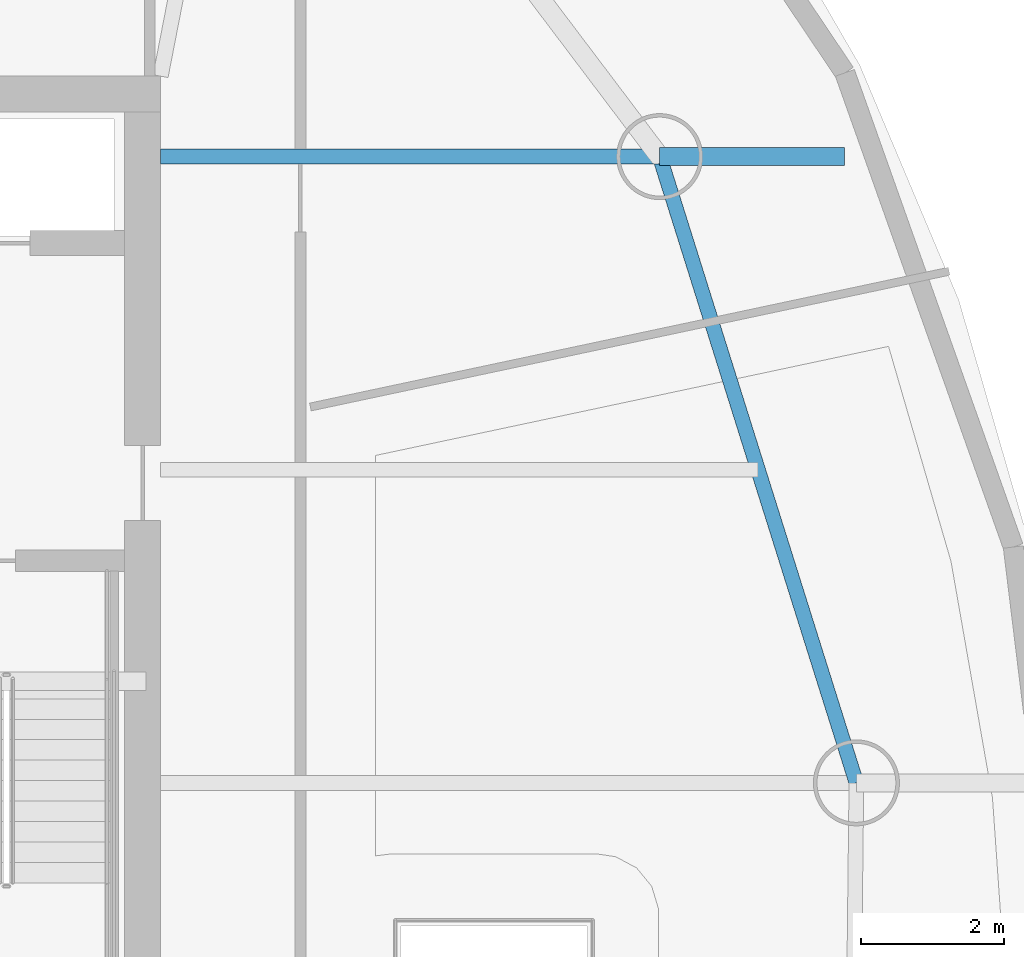
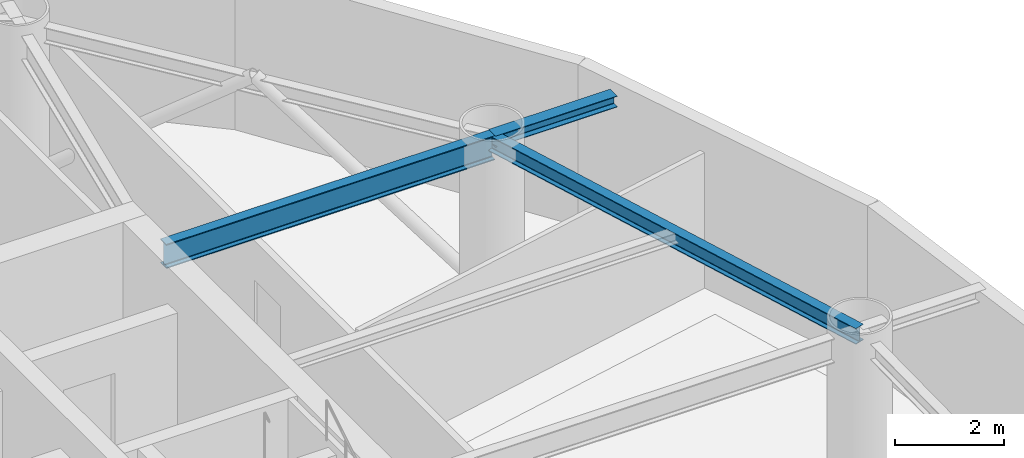
# One storey, part 10 of 22: 3 beams.
"""IFC4 building model written with IfcOpenShell, lengths in metres."""

from ifc_helpers import new_model, si_unit, direction, frame, origin, origin_2d, place, context, subcontext, project, spatial, i_section, extrude, material, material_profile, profile_set, type_object, element, save


model = new_model("IFC4")

# Units and contexts
model_context = context("Model", 3, precision=1e-05, world=origin(), true_north=direction((0.0, 1.0)))
body_context = subcontext(model_context, "Body", "Model", "MODEL_VIEW")
ifc_project = project(units=[si_unit("LENGTHUNIT", "METRE"), si_unit("AREAUNIT", "SQUARE_METRE"), si_unit("VOLUMEUNIT", "CUBIC_METRE"), si_unit("PLANEANGLEUNIT", "RADIAN"), si_unit("MASSUNIT", "GRAM", prefix="KILO")], contexts=[model_context])

# Site, building, storey
site_placement = place(None, origin())
site = spatial("IfcSite", under=ifc_project, at=site_placement, CompositionType="ELEMENT")
building_placement = place(site_placement, origin())
building = spatial("IfcBuilding", under=site, at=building_placement, Name="Bramvorn Convention Spire", CompositionType="ELEMENT")
storey_placement = place(building_placement, frame((0.0, 0.0, 225.10009765625)))
storey = spatial("IfcBuildingStorey", under=building, at=storey_placement, Name="L57", CompositionType="ELEMENT", Elevation=225.10009765625)

# Beams
ifc_material = material(Name="Steel CSA G40.21 Grade 350 (350W)", Category="steel")
ifc_material_profile_1 = material_profile(ifc_material, i_section(OverallWidth=0.25390625, OverallDepth=0.2529296875, WebThickness=0.008544921875, FlangeThickness=0.01416015625, FilletRadius=0.011962890625, at=origin_2d()))
ifc_profile_set_1 = profile_set([ifc_material_profile_1], Name="Steel CSA G40.21 Grade 350 (350W) - W250X73")
beam_type_1 = type_object("IfcBeamType", Name="BM-W250X73", PredefinedType="BEAM", material=ifc_profile_set_1)
beam_1_placement = place(storey_placement, frame((56.21044921875, 32.327392578125, 3.493408203125), z_axis=(1.0, 0.0, 0.0), x_axis=(0.0, 1.0, 0.0)))
element("IfcBeam", 1, at=beam_1_placement, inside=storey, type_object=beam_type_1, Name="L57 slab-edge cantilever tip beam MC04", PredefinedType="BEAM", context=body_context, shape_type="SweptSolid", body=[
    extrude(i_section(OverallWidth=0.25390625, OverallDepth=0.2529296875, WebThickness=0.008544921875, FlangeThickness=0.01416015625, FilletRadius=0.011962890625, at=origin_2d()), origin(), (0.0, 0.0, 1.0), 2.5810546875),
])
ifc_material_profile_2 = material_profile(ifc_material, i_section(OverallWidth=0.205078125, OverallDepth=0.35400390625, WebThickness=0.009521484375, FlangeThickness=0.016845703125, FilletRadius=0.014892578125, at=origin_2d()))
ifc_profile_set_2 = profile_set([ifc_material_profile_2], Name="Steel CSA G40.21 Grade 350 (350W) - W360X79")
beam_type_2 = type_object("IfcBeamType", Name="BM-W360X79", PredefinedType="JOIST", material=ifc_profile_set_2)
beam_2_placement = place(storey_placement, frame((58.95458984375, 23.593505859375, 3.44287109375), z_axis=(-0.299747542929, 0.954018558786, 0.0), x_axis=(-0.954018558786, -0.299747542929, 0.0)))
element("IfcBeam", 2, at=beam_2_placement, inside=storey, type_object=beam_type_2, Name="L57 mega-column ring beam 03", PredefinedType="JOIST", context=body_context, shape_type="SweptSolid", body=[
    extrude(i_section(OverallWidth=0.205078125, OverallDepth=0.35400390625, WebThickness=0.009521484375, FlangeThickness=0.016845703125, FilletRadius=0.014892578125, at=origin_2d()), origin(), (0.0, 0.0, 1.0), 9.15478515625),
])
ifc_material_profile_3 = material_profile(ifc_material, i_section(OverallWidth=0.2119140625, OverallDepth=0.5439453125, WebThickness=0.01318359375, FlangeThickness=0.021240234375, FilletRadius=0.01904296875, at=origin_2d()))
ifc_profile_set_3 = profile_set([ifc_material_profile_3], Name="Steel CSA G40.21 Grade 350 (350W) - W530X123")
beam_type_3 = type_object("IfcBeamType", Name="BM-W530X123", PredefinedType="BEAM", material=ifc_profile_set_3)
beam_3_placement = place(storey_placement, frame((49.25, 32.327392578125, 3.347900390625), z_axis=(1.0, 0.0, 0.0), x_axis=(0.0, 1.0, 0.0)))
element("IfcBeam", 3, at=beam_3_placement, inside=storey, type_object=beam_type_3, Name="L57 radial floor girder MC04", PredefinedType="BEAM", context=body_context, shape_type="SweptSolid", body=[
    extrude(i_section(OverallWidth=0.2119140625, OverallDepth=0.5439453125, WebThickness=0.01318359375, FlangeThickness=0.021240234375, FilletRadius=0.01904296875, at=origin_2d()), origin(), (0.0, 0.0, 1.0), 6.96044921875),
])

save(model, "model.ifc")
